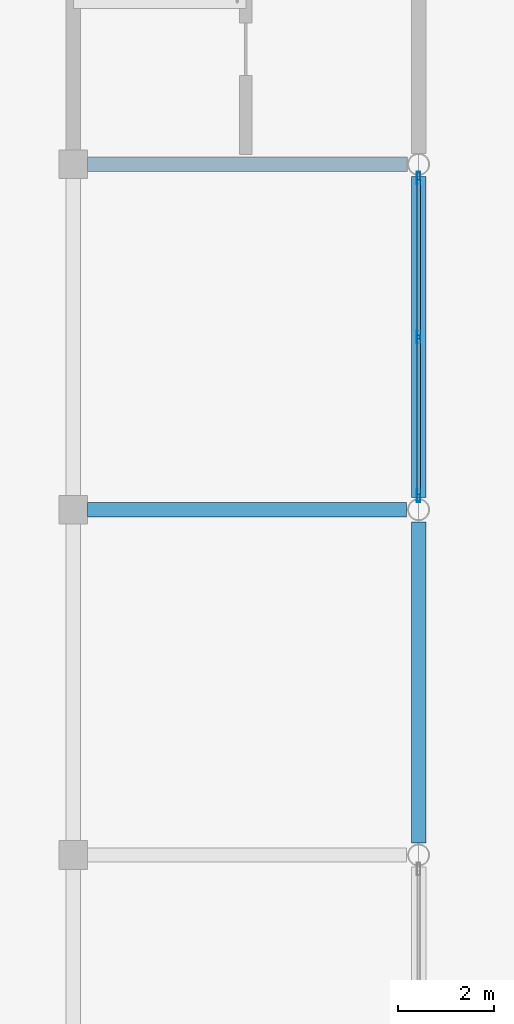
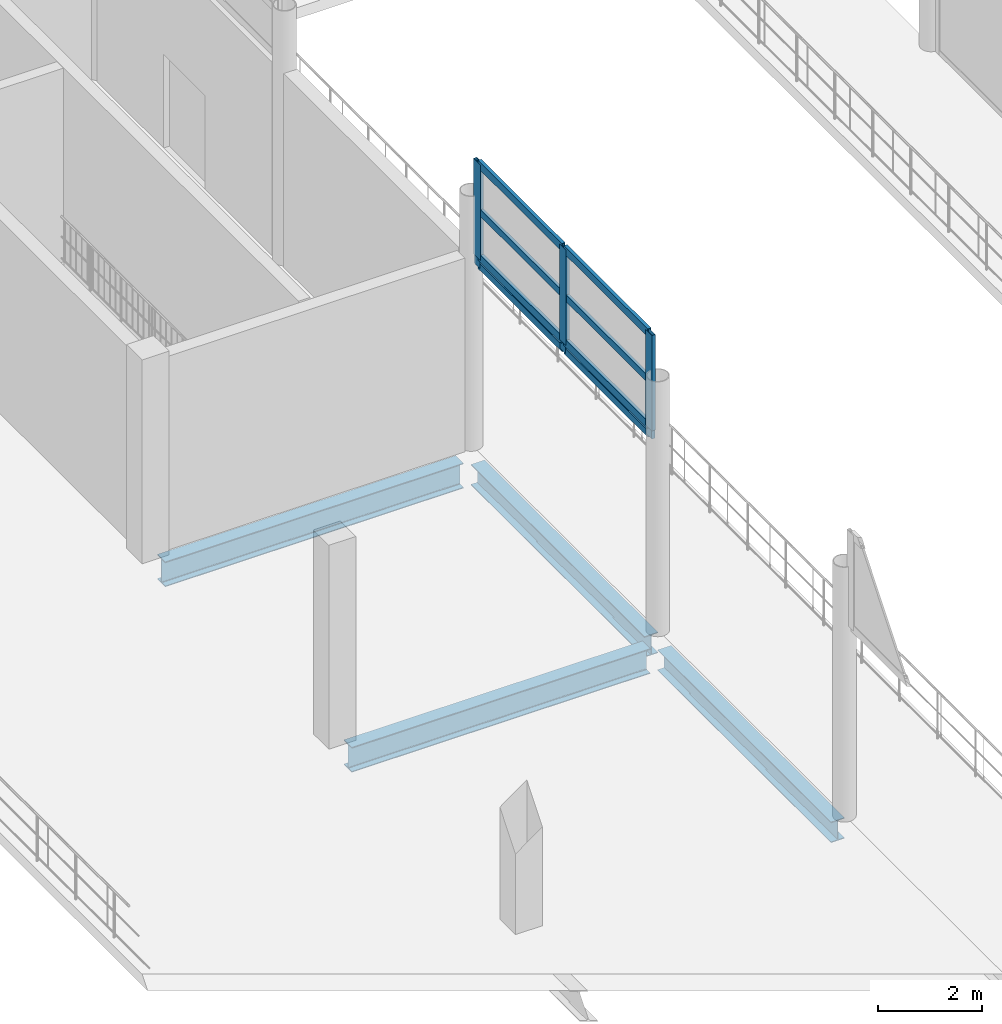
# One storey, part 38 of 120: 14 members, 4 beams, 2 elements without a shape of their own.
"""IFC4 building model written with IfcOpenShell, lengths in metres."""

from ifc_helpers import new_model, si_unit, direction, frame, origin, origin_2d, place, context, subcontext, project, spatial, hollow_rectangle, i_section, extrude, material, material_profile, profile_set, type_object, element, aggregate, save


model = new_model("IFC4")

# Units and contexts
model_context = context("Model", 3, precision=1e-05, world=origin(), true_north=direction((0.0, 1.0)))
body_context = subcontext(model_context, "Body", "Model", "MODEL_VIEW")
ifc_project = project(units=[si_unit("LENGTHUNIT", "METRE"), si_unit("AREAUNIT", "SQUARE_METRE"), si_unit("VOLUMEUNIT", "CUBIC_METRE"), si_unit("PLANEANGLEUNIT", "RADIAN"), si_unit("MASSUNIT", "GRAM", prefix="KILO")], contexts=[model_context])

# Site, building, storey
site_placement = place(None, origin())
site = spatial("IfcSite", under=ifc_project, at=site_placement, CompositionType="ELEMENT")
building_placement = place(site_placement, origin())
building = spatial("IfcBuilding", under=site, at=building_placement, Name="Vesperath Aquatics Centre", CompositionType="ELEMENT")
storey_placement = place(building_placement, frame((0.0, 0.0, 10.199951171875)))
storey = spatial("IfcBuildingStorey", under=building, at=storey_placement, Name="L02", CompositionType="ELEMENT", Elevation=10.199951171875)

# Beams
ifc_material_1 = material(Name="Steel Q355C", Category="steel")
ifc_material_profile_1 = material_profile(ifc_material_1, i_section(OverallWidth=0.300048828125, OverallDepth=0.587890625, WebThickness=0.011962890625, FlangeThickness=0.02001953125, FilletRadius=0.028076171875, at=origin_2d()), Name="HM 588x300x12x20")
ifc_profile_set_1 = profile_set([ifc_material_profile_1], Name="Steel Q355C")
beam_type_1 = type_object("IfcBeamType", Name="BM-G09", PredefinedType="BEAM", material=ifc_profile_set_1)
for number, where, z_axis, x_axis, name in (
    (1, (93.89990234375, 50.39990234375, -0.553955078125), (1.0, 0.0, 0.0), (0.0, 1.0, 0.0), "Floor Girder B09 L02 H 14-15"),
    (2, (93.89990234375, 57.60009765625, -0.553955078125), (1.0, 0.0, 0.0), (0.0, 1.0, 0.0), "Floor Girder B09 L02 J 14-15"),
):
    element("IfcBeam", number, at=place(storey_placement, frame(where, z_axis=z_axis, x_axis=x_axis)), inside=storey, type_object=beam_type_1, Name=name, PredefinedType="BEAM", context=body_context, shape_type="SweptSolid", body=[
        extrude(i_section(OverallWidth=0.300048828125, OverallDepth=0.587890625, WebThickness=0.011962890625, FlangeThickness=0.02001953125, FilletRadius=0.028076171875, at=origin_2d()), origin(), (0.0, 0.0, 1.0), 6.64599609375),
    ])
ifc_material_profile_2 = material_profile(ifc_material_1, i_section(OverallWidth=0.300048828125, OverallDepth=0.488037109375, WebThickness=0.010986328125, FlangeThickness=0.01806640625, FilletRadius=0.02587890625, at=origin_2d()), Name="HM 488x300x11x18")
ifc_profile_set_2 = profile_set([ifc_material_profile_2], Name="Steel Q355C")
beam_type_2 = type_object("IfcBeamType", Name="BM-G10", PredefinedType="BEAM", material=ifc_profile_set_2)
for number, where, z_axis, x_axis, name in (
    (3, (100.800048828125, 43.4541015625, -0.50390625), (0.0, 1.0, 0.0), (-1.0, 0.0, 0.0), "Floor Girder B10 L02 15 G-H"),
    (4, (100.800048828125, 50.654052734375, -0.50390625), (0.0, 1.0, 0.0), (-1.0, 0.0, 0.0), "Floor Girder B10 L02 15 H-J"),
):
    element("IfcBeam", number, at=place(storey_placement, frame(where, z_axis=z_axis, x_axis=x_axis)), inside=storey, type_object=beam_type_2, Name=name, PredefinedType="BEAM", context=body_context, shape_type="SweptSolid", body=[
        extrude(i_section(OverallWidth=0.300048828125, OverallDepth=0.488037109375, WebThickness=0.010986328125, FlangeThickness=0.01806640625, FilletRadius=0.02587890625, at=origin_2d()), origin(), (0.0, 0.0, 1.0), 6.69189453125),
    ])

# Curtain wall, members
ifc_material_2 = material(Name="Thermally broken anodised bronze aluminium curtain wall", Category="aluminium")
curtain_wall_type_1 = type_object("IfcCurtainWallType", Name="CW-09", PredefinedType="NOTDEFINED", material=ifc_material_2)
curtain_wall_1_placement = place(storey_placement, origin())
curtain_wall_1 = element("IfcCurtainWall", 5, at=curtain_wall_1_placement, inside=storey, type_object=curtain_wall_type_1, Name="Natatorium End Clerestory Curtain Wall CW09 E-8", PredefinedType="NOTDEFINED")
ifc_material_3 = material(Name="Thermally broken anodised aluminium", Category="aluminium")
ifc_material_profile_3 = material_profile(ifc_material_3, hollow_rectangle(XDim=0.074951171875, YDim=0.260009765625, WallThickness=0.006103515625, at=origin_2d()), Name="CWM 75x260x6")
ifc_profile_set_3 = profile_set([ifc_material_profile_3], Name="Thermally broken anodised aluminium")
member_type_1 = type_object("IfcMemberType", Name="MB-CWM1", PredefinedType="MULLION", material=ifc_profile_set_3)
member_1_placement = place(storey_placement, frame((100.800048828125, 50.6875, 4.60009765625), z_axis=(0.0, 0.0, 1.0), x_axis=(-1.0, 0.0, 0.0)))
member_1 = element("IfcMember", 6, at=member_1_placement, type_object=member_type_1, Name="CW09 mullion 1", PredefinedType="MULLION", context=body_context, shape_type="SweptSolid", body=[
    extrude(hollow_rectangle(XDim=0.074951171875, YDim=0.260009765625, WallThickness=0.006103515625, at=origin_2d()), origin(), (0.0, 0.0, 1.0), 2.25),
])
member_2_placement = place(storey_placement, frame((100.800048828125, 54.0, 4.60009765625), z_axis=(0.0, 0.0, 1.0), x_axis=(-1.0, 0.0, 0.0)))
member_2 = element("IfcMember", 7, at=member_2_placement, type_object=member_type_1, Name="CW09 mullion 2", PredefinedType="MULLION", context=body_context, shape_type="SweptSolid", body=[
    extrude(hollow_rectangle(XDim=0.074951171875, YDim=0.260009765625, WallThickness=0.006103515625, at=origin_2d()), origin(), (0.0, 0.0, 1.0), 2.25),
])
member_3_placement = place(storey_placement, frame((100.800048828125, 57.3125, 4.60009765625), z_axis=(0.0, 0.0, 1.0), x_axis=(-1.0, 0.0, 0.0)))
member_3 = element("IfcMember", 8, at=member_3_placement, type_object=member_type_1, Name="CW09 mullion 3", PredefinedType="MULLION", context=body_context, shape_type="SweptSolid", body=[
    extrude(hollow_rectangle(XDim=0.074951171875, YDim=0.260009765625, WallThickness=0.006103515625, at=origin_2d()), origin(), (0.0, 0.0, 1.0), 2.25),
])

curtain_wall_type_2 = type_object("IfcCurtainWallType", Name="CW-10", PredefinedType="NOTDEFINED", material=ifc_material_2)
curtain_wall_2_placement = place(storey_placement, origin())
curtain_wall_2 = element("IfcCurtainWall", 9, at=curtain_wall_2_placement, inside=storey, type_object=curtain_wall_type_2, Name="Conservatory Vault Clerestory CW10 W-8", PredefinedType="NOTDEFINED")
ifc_material_profile_4 = material_profile(ifc_material_3, hollow_rectangle(XDim=0.070068359375, YDim=0.219970703125, WallThickness=0.0048828125, at=origin_2d()), Name="CWM 70x220x5")
ifc_profile_set_4 = profile_set([ifc_material_profile_4], Name="Thermally broken anodised aluminium")
member_type_2 = type_object("IfcMemberType", Name="MB-CWM2", PredefinedType="MULLION", material=ifc_profile_set_4)
member_4_placement = place(storey_placement, frame((100.800048828125, 50.68505859375, 4.400146484375), z_axis=(0.0, 0.0, 1.0), x_axis=(-1.0, 0.0, 0.0)))
member_4 = element("IfcMember", 10, at=member_4_placement, type_object=member_type_2, Name="CW10 mullion 1", PredefinedType="MULLION", context=body_context, shape_type="SweptSolid", body=[
    extrude(hollow_rectangle(XDim=0.070068359375, YDim=0.219970703125, WallThickness=0.0048828125, at=origin_2d()), origin(), (0.0, 0.0, 1.0), 1.349853515625),
])
member_5_placement = place(storey_placement, frame((100.800048828125, 54.0, 4.400146484375), z_axis=(0.0, 0.0, 1.0), x_axis=(-1.0, 0.0, 0.0)))
member_5 = element("IfcMember", 11, at=member_5_placement, type_object=member_type_2, Name="CW10 mullion 2", PredefinedType="MULLION", context=body_context, shape_type="SweptSolid", body=[
    extrude(hollow_rectangle(XDim=0.070068359375, YDim=0.219970703125, WallThickness=0.0048828125, at=origin_2d()), origin(), (0.0, 0.0, 1.0), 1.349853515625),
])
member_6_placement = place(storey_placement, frame((100.800048828125, 57.31494140625, 4.400146484375), z_axis=(0.0, 0.0, 1.0), x_axis=(-1.0, 0.0, 0.0)))
member_6 = element("IfcMember", 12, at=member_6_placement, type_object=member_type_2, Name="CW10 mullion 3", PredefinedType="MULLION", context=body_context, shape_type="SweptSolid", body=[
    extrude(hollow_rectangle(XDim=0.070068359375, YDim=0.219970703125, WallThickness=0.0048828125, at=origin_2d()), origin(), (0.0, 0.0, 1.0), 1.349853515625),
])

# Member
ifc_material_profile_5 = material_profile(ifc_material_3, hollow_rectangle(XDim=0.074951171875, YDim=0.179931640625, WallThickness=0.0048828125, at=origin_2d()), Name="CWT 75x180x5")
ifc_profile_set_5 = profile_set([ifc_material_profile_5], Name="Thermally broken anodised aluminium")
member_type_3 = type_object("IfcMemberType", Name="MB-CWT1", PredefinedType="USERDEFINED", material=ifc_profile_set_5)
member_7_placement = place(storey_placement, frame((100.800048828125, 50.72509765625, 4.637451171875), z_axis=(0.0, 1.0, 0.0), x_axis=(-1.0, 0.0, 0.0)))
member_7 = element("IfcMember", 13, at=member_7_placement, type_object=member_type_3, Name="CW09 transom 1.1", ObjectType="TRANSOM", PredefinedType="USERDEFINED", context=body_context, shape_type="SweptSolid", body=[
    extrude(hollow_rectangle(XDim=0.074951171875, YDim=0.179931640625, WallThickness=0.0048828125, at=origin_2d()), origin(), (0.0, 0.0, 1.0), 3.2373046875),
])

member_8_placement = place(storey_placement, frame((100.800048828125, 50.72509765625, 6.8125), z_axis=(0.0, 1.0, 0.0), x_axis=(-1.0, 0.0, 0.0)))
member_8 = element("IfcMember", 14, at=member_8_placement, type_object=member_type_3, Name="CW09 transom 1.2", ObjectType="TRANSOM", PredefinedType="USERDEFINED", context=body_context, shape_type="SweptSolid", body=[
    extrude(hollow_rectangle(XDim=0.074951171875, YDim=0.179931640625, WallThickness=0.0048828125, at=origin_2d()), origin(), (0.0, 0.0, 1.0), 3.2373046875),
])

member_9_placement = place(storey_placement, frame((100.800048828125, 54.03759765625, 4.637451171875), z_axis=(0.0, 1.0, 0.0), x_axis=(-1.0, 0.0, 0.0)))
member_9 = element("IfcMember", 15, at=member_9_placement, type_object=member_type_3, Name="CW09 transom 2.1", ObjectType="TRANSOM", PredefinedType="USERDEFINED", context=body_context, shape_type="SweptSolid", body=[
    extrude(hollow_rectangle(XDim=0.074951171875, YDim=0.179931640625, WallThickness=0.0048828125, at=origin_2d()), origin(), (0.0, 0.0, 1.0), 3.2373046875),
])

member_10_placement = place(storey_placement, frame((100.800048828125, 54.03759765625, 6.8125), z_axis=(0.0, 1.0, 0.0), x_axis=(-1.0, 0.0, 0.0)))
member_10 = element("IfcMember", 16, at=member_10_placement, type_object=member_type_3, Name="CW09 transom 2.2", ObjectType="TRANSOM", PredefinedType="USERDEFINED", context=body_context, shape_type="SweptSolid", body=[
    extrude(hollow_rectangle(XDim=0.074951171875, YDim=0.179931640625, WallThickness=0.0048828125, at=origin_2d()), origin(), (0.0, 0.0, 1.0), 3.2373046875),
])

aggregate(curtain_wall_1, [member_1, member_2, member_3, member_7, member_8, member_9, member_10])

ifc_material_profile_6 = material_profile(ifc_material_3, hollow_rectangle(XDim=0.070068359375, YDim=0.159912109375, WallThickness=0.0048828125, at=origin_2d()), Name="CWT 70x160x5")
ifc_profile_set_6 = profile_set([ifc_material_profile_6], Name="Thermally broken anodised aluminium")
member_type_4 = type_object("IfcMemberType", Name="MB-CWT2", PredefinedType="USERDEFINED", material=ifc_profile_set_6)
member_11_placement = place(storey_placement, frame((100.800048828125, 50.719970703125, 4.43505859375), z_axis=(0.0, 1.0, 0.0), x_axis=(-1.0, 0.0, 0.0)))
member_11 = element("IfcMember", 17, at=member_11_placement, type_object=member_type_4, Name="CW10 transom 1.1", ObjectType="TRANSOM", PredefinedType="USERDEFINED", context=body_context, shape_type="SweptSolid", body=[
    extrude(hollow_rectangle(XDim=0.070068359375, YDim=0.159912109375, WallThickness=0.0048828125, at=origin_2d()), origin(), (0.0, 0.0, 1.0), 3.2451171875),
])

member_12_placement = place(storey_placement, frame((100.800048828125, 50.719970703125, 5.715087890625), z_axis=(0.0, 1.0, 0.0), x_axis=(-1.0, 0.0, 0.0)))
member_12 = element("IfcMember", 18, at=member_12_placement, type_object=member_type_4, Name="CW10 transom 1.2", ObjectType="TRANSOM", PredefinedType="USERDEFINED", context=body_context, shape_type="SweptSolid", body=[
    extrude(hollow_rectangle(XDim=0.070068359375, YDim=0.159912109375, WallThickness=0.0048828125, at=origin_2d()), origin(), (0.0, 0.0, 1.0), 3.2451171875),
])

member_13_placement = place(storey_placement, frame((100.800048828125, 54.034912109375, 4.43505859375), z_axis=(0.0, 1.0, 0.0), x_axis=(-1.0, 0.0, 0.0)))
member_13 = element("IfcMember", 19, at=member_13_placement, type_object=member_type_4, Name="CW10 transom 2.1", ObjectType="TRANSOM", PredefinedType="USERDEFINED", context=body_context, shape_type="SweptSolid", body=[
    extrude(hollow_rectangle(XDim=0.070068359375, YDim=0.159912109375, WallThickness=0.0048828125, at=origin_2d()), origin(), (0.0, 0.0, 1.0), 3.2451171875),
])

member_14_placement = place(storey_placement, frame((100.800048828125, 54.034912109375, 5.715087890625), z_axis=(0.0, 1.0, 0.0), x_axis=(-1.0, 0.0, 0.0)))
member_14 = element("IfcMember", 20, at=member_14_placement, type_object=member_type_4, Name="CW10 transom 2.2", ObjectType="TRANSOM", PredefinedType="USERDEFINED", context=body_context, shape_type="SweptSolid", body=[
    extrude(hollow_rectangle(XDim=0.070068359375, YDim=0.159912109375, WallThickness=0.0048828125, at=origin_2d()), origin(), (0.0, 0.0, 1.0), 3.2451171875),
])

aggregate(curtain_wall_2, [member_4, member_5, member_6, member_11, member_12, member_13, member_14])

save(model, "model.ifc")
